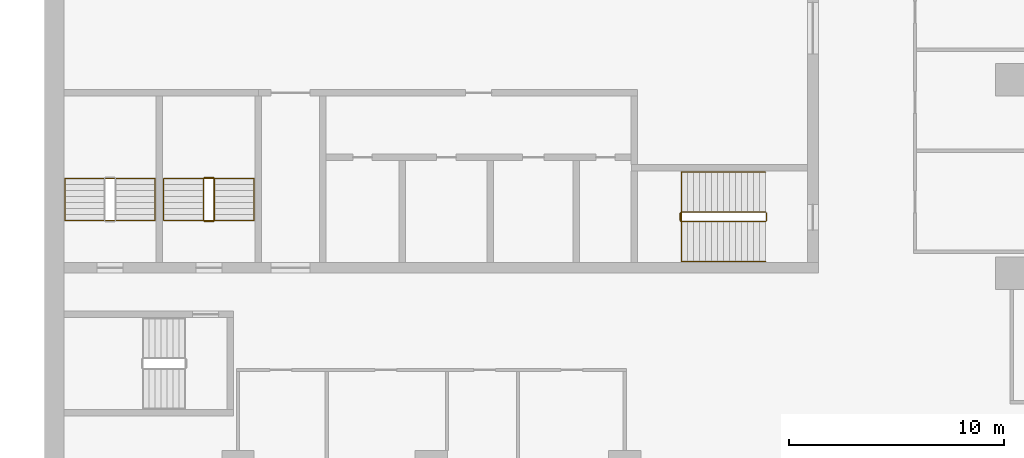
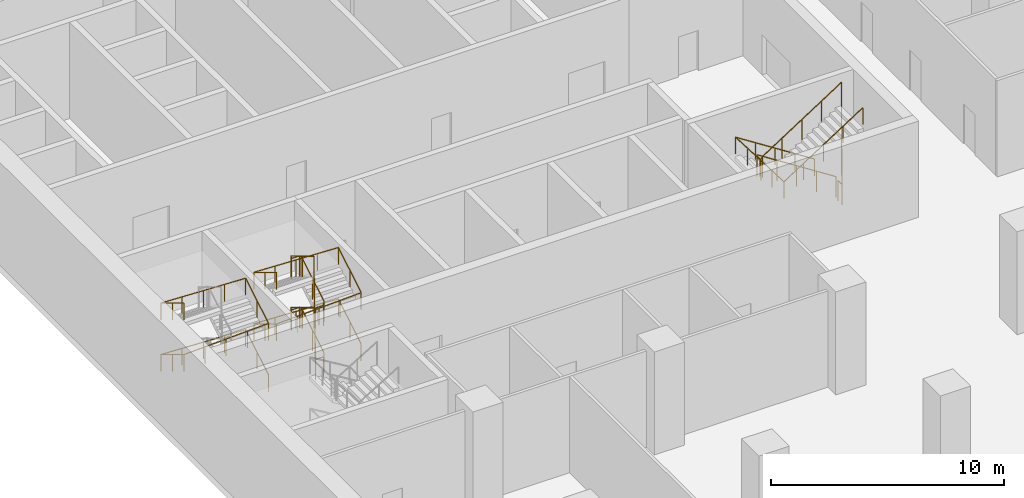
# One storey, part 33 of 43: 5 railings.
"""IFC4 building model written with IfcOpenShell, lengths in metres."""

import ifcopenshell
import ifcopenshell.guid

model = None  # the IFC model being written
_history = None  # IfcOwnerHistory: only IFC2X3 demands one
_inside = {}  # id of a spatial element -> (the spatial element, [elements in it])
_under = {}  # id of a project, library or spatial element -> (it, [spatial elements below it])
_declared = {}  # id of a project -> (the project, [libraries it declares])
_typed = {}  # id of a type object -> (the type object, [elements of that type])
_made_of = {}  # id of a material, layer set ... -> (it, [elements and type objects made of it])


def new_model(schema):
    """Start an empty IFC model of exactly this schema.

    Asked for "IFC4X3", IfcOpenShell would pick the latest addendum, in which some entities
    have other attributes; the version numbers below select the first issue.
    IFC2X3 requires an IfcOwnerHistory on every rooted entity: one is made here for all.
    """
    global model, _history
    if schema == "IFC4X3":
        model = ifcopenshell.file(schema_version=(4, 3, 0, 0))
    else:
        model = ifcopenshell.file(schema=schema)
    _inside.clear()
    _under.clear()
    _declared.clear()
    _typed.clear()
    _made_of.clear()
    _history = None
    if model.schema == "IFC2X3":
        org = make("IfcOrganization", Name="unknown")
        user = make(
            "IfcPersonAndOrganization",
            ThePerson=make("IfcPerson", FamilyName="unknown"),
            TheOrganization=org,
        )
        app = make(
            "IfcApplication",
            ApplicationDeveloper=org,
            Version="unknown",
            ApplicationFullName="unknown",
            ApplicationIdentifier="unknown",
        )
        _history = make(
            "IfcOwnerHistory",
            OwningUser=user,
            OwningApplication=app,
            ChangeAction="ADDED",
            CreationDate=0,
        )
    return model


def make(cls, **values):
    """One entity of the class cls with the attributes given. An attribute that is None is left unset."""
    return model.create_entity(
        cls, **{name: value for name, value in values.items() if value is not None}
    )


def rooted(cls, **values):
    """An entity with a GlobalId (a new one), such as an element, a storey or a relation."""
    return make(cls, GlobalId=ifcopenshell.guid.new(), OwnerHistory=_history, **values)


def si_unit(unit_type, name, prefix=None):
    """IfcSIUnit, for example si_unit("LENGTHUNIT", "METRE", prefix="MILLI")."""
    return make("IfcSIUnit", UnitType=unit_type, Prefix=prefix, Name=name)


def assignment(units):
    """IfcUnitAssignment: the units of a project."""
    return None if units is None else make("IfcUnitAssignment", Units=units)


def point(xyz):
    """IfcCartesianPoint."""
    return None if xyz is None else make("IfcCartesianPoint", Coordinates=xyz)


def direction(xyz):
    """IfcDirection."""
    return None if xyz is None else make("IfcDirection", DirectionRatios=xyz)


def frame(location, z_axis=None, x_axis=None):
    """IfcAxis2Placement3D, a coordinate frame: its origin and axes. An axis left out is left unset."""
    return make(
        "IfcAxis2Placement3D",
        Location=point(location),
        Axis=direction(z_axis),
        RefDirection=direction(x_axis),
    )


def frame_2d(location, x_axis=None):
    """IfcAxis2Placement2D, a coordinate frame in the plane: its origin and x axis."""
    return make(
        "IfcAxis2Placement2D", Location=point(location), RefDirection=direction(x_axis)
    )


def origin():
    """The frame at (0, 0, 0) with its axes left unset."""
    return frame((0.0, 0.0, 0.0))


def origin_2d():
    """The frame at (0, 0) in the plane with its x axis left unset."""
    return frame_2d((0.0, 0.0))


def place(relative_to, where):
    """IfcLocalPlacement: puts the frame where relative to a parent placement (None: the world)."""
    return make(
        "IfcLocalPlacement", PlacementRelTo=relative_to, RelativePlacement=where
    )


def context(
    kind, dimensions, precision=None, world=None, true_north=None, identifier=None
):
    """IfcGeometricRepresentationContext, for example the 3D "Model" context."""
    return make(
        "IfcGeometricRepresentationContext",
        ContextIdentifier=identifier,
        ContextType=kind,
        CoordinateSpaceDimension=dimensions,
        Precision=precision,
        WorldCoordinateSystem=world,
        TrueNorth=true_north,
    )


def subcontext(parent, identifier, kind, view, scale=None):
    """IfcGeometricRepresentationSubContext, for example "Body" below "Model"."""
    return make(
        "IfcGeometricRepresentationSubContext",
        ContextIdentifier=identifier,
        ContextType=kind,
        ParentContext=parent,
        TargetScale=scale,
        TargetView=view,
    )


def project(units=None, contexts=None):
    """IfcProject with its units and contexts."""
    return rooted(
        "IfcProject",
        Name="project",
        RepresentationContexts=contexts,
        UnitsInContext=assignment(units),
    )


def spatial(cls, under=None, at=None, **own):
    """A site, building, storey or space (cls), placed at a placement, below another one or the project."""
    s = rooted(cls, ObjectPlacement=at, **own)
    if under is not None:
        _under.setdefault(under.id(), (under, []))[1].append(s)
    return s


def profile(cls, at=None, kind="AREA", **sizes):
    """A parametric profile (cls). Its sizes go by their IFC names, for example OverallWidth=200.0."""
    return make(cls, ProfileType=kind, Position=at, **sizes)


def circle(**sizes):
    """IfcCircleProfileDef."""
    return profile("IfcCircleProfileDef", **sizes)


def extrude(swept, where, along, depth):
    """IfcExtrudedAreaSolid: the profile swept, set in the frame where, extruded along a direction by depth."""
    return make(
        "IfcExtrudedAreaSolid",
        SweptArea=swept,
        Position=where,
        ExtrudedDirection=direction(along),
        Depth=depth,
    )


def shape(context_of_items, identifier, shape_type, items):
    """IfcShapeRepresentation: the items that make up one representation, for example the "Body"."""
    return make(
        "IfcShapeRepresentation",
        ContextOfItems=context_of_items,
        RepresentationIdentifier=identifier,
        RepresentationType=shape_type,
        Items=items,
    )


def material(Name=None, Category=None):
    """IfcMaterial."""
    return make("IfcMaterial", Name=Name, Category=Category)


def made_of(thing, what):
    """Note that an element or type object is made of a material, layer set ...; save() writes the relation."""
    if what is not None:
        _made_of.setdefault(what.id(), (what, []))[1].append(thing)
    return thing


def type_object(cls, material=None, **own):
    """A type object (cls), such as IfcWallType, which elements share."""
    return made_of(rooted(cls, **own), material)


def element(
    cls,
    number,
    at=None,
    inside=None,
    cuts=None,
    type_object=None,
    material=None,
    context=None,
    identifier="Body",
    shape_type=None,
    held_by="IfcProductDefinitionShape",
    body=None,
    shapes=None,
    **own,
):
    """One element of the class cls, such as IfcWall. Its Tag is "e" and its number.

    at: its placement. inside: the storey or other place that contains it. cuts: it is an
    opening in that element (IfcRelVoidsElement). A single representation is given by context,
    identifier, shape_type and body (its items); several are given by shapes. held_by: the class
    of the entity that holds the representations. save() writes the other relations.
    """
    e = rooted(cls, Tag="e%d" % number, ObjectPlacement=at, **own)
    if body is not None:
        shapes = [shape(context, identifier, shape_type, body)]
    if shapes is not None:
        e.Representation = make(held_by, Representations=shapes)
    if inside is not None:
        _inside.setdefault(inside.id(), (inside, []))[1].append(e)
    if cuts is not None:
        rooted(
            "IfcRelVoidsElement", RelatingBuildingElement=cuts, RelatedOpeningElement=e
        )
    if type_object is not None:
        _typed.setdefault(type_object.id(), (type_object, []))[1].append(e)
    return made_of(e, material)


def aggregate(whole, parts):
    """IfcRelAggregates: a whole, such as a stair, and the parts it consists of."""
    return rooted("IfcRelAggregates", RelatingObject=whole, RelatedObjects=parts)


def save(model, path):
    """Write the relations noted so far, then the file.

    IfcRelAggregates (storeys below a building ...), IfcRelContainedInSpatialStructure (elements
    in a storey), IfcRelDefinesByType, IfcRelAssociatesMaterial and IfcRelDeclares: one each for
    every whole, place, type object, material and project.
    """
    for whole, parts in _under.values():
        aggregate(whole, parts)
    for where, things in _inside.values():
        rooted(
            "IfcRelContainedInSpatialStructure",
            RelatedElements=things,
            RelatingStructure=where,
        )
    for kind, things in _typed.values():
        rooted("IfcRelDefinesByType", RelatedObjects=things, RelatingType=kind)
    for what, things in _made_of.values():
        rooted("IfcRelAssociatesMaterial", RelatedObjects=things, RelatingMaterial=what)
    for by, libraries in _declared.values():
        rooted("IfcRelDeclares", RelatingContext=by, RelatedDefinitions=libraries)
    model.write(path)


model = new_model("IFC4")

# Units and contexts
model_context = context("Model", 3, precision=1e-05, world=origin(), true_north=direction((0.0, 1.0)))
body_context = subcontext(model_context, "Body", "Model", "MODEL_VIEW")
ifc_project = project(units=[si_unit("LENGTHUNIT", "METRE"), si_unit("AREAUNIT", "SQUARE_METRE"), si_unit("VOLUMEUNIT", "CUBIC_METRE"), si_unit("PLANEANGLEUNIT", "RADIAN"), si_unit("MASSUNIT", "GRAM", prefix="KILO")], contexts=[model_context])

# Site, building, storey
site_placement = place(None, origin())
site = spatial("IfcSite", under=ifc_project, at=site_placement, CompositionType="ELEMENT")
building_placement = place(site_placement, origin())
building = spatial("IfcBuilding", under=site, at=building_placement, Name="Hunhe Ridgeline Campus", CompositionType="ELEMENT")
storey_placement = place(building_placement, frame((0.0, 0.0, 11.39990234375)))
storey = spatial("IfcBuildingStorey", under=building, at=storey_placement, Name="L02", CompositionType="ELEMENT", Elevation=11.39990234375)

# Railings
ifc_material_1 = material(Name="Stainless steel balustrade", Category="steel")
railing_type_1 = type_object("IfcRailingType", Name="Stair guard 1100 stainless", PredefinedType="GUARDRAIL", material=ifc_material_1)
railing_1_placement = place(storey_placement, frame((33.550048828125, 65.85009765625, 0.18017578125)))
element("IfcRailing", 1, at=railing_1_placement, inside=storey, type_object=railing_type_1, Name="L02 stair S2 guard", PredefinedType="GUARDRAIL", context=body_context, shape_type="SweptSolid", body=[
    extrude(circle(Radius=0.02392578125, at=origin_2d()), frame((0.0, 0.0, 1.076171875), z_axis=(-0.841186985886, 0.0, 0.540744352514), x_axis=(0.0, -1.0, 0.0)), (0.0, 0.0, 1.0), 4.660400390625),
    extrude(circle(Radius=0.02392578125, at=origin_2d()), frame((-3.920166015625, 0.0, 3.59619140625), z_axis=(-0.705375805398, -0.708833529934, 0.0), x_axis=(0.708833529934, -0.705375805398, 0.0)), (0.0, 0.0, 1.0), 0.070556640625),
    extrude(circle(Radius=0.02392578125, at=origin_2d()), frame((-3.969970703125, -0.050048828125, 3.59619140625), z_axis=(0.0, -1.0, 0.0), x_axis=(1.0, 0.0, 0.0)), (0.0, 0.0, 1.0), 0.35009765625),
    extrude(circle(Radius=0.02392578125, at=origin_2d()), frame((-3.969970703125, -0.400146484375, 3.59619140625), z_axis=(0.257669022063, -0.258932105505, 0.930892496375), x_axis=(0.708833529934, 0.705375805398, 0.0)), (0.0, 0.0, 1.0), 0.193359375),
    extrude(circle(Radius=0.02392578125, at=origin_2d()), frame((-3.920166015625, -0.4501953125, 3.77587890625), z_axis=(0.841186985886, 0.0, 0.540744352514), x_axis=(0.0, 1.0, 0.0)), (0.0, 0.0, 1.0), 4.660400390625),
    extrude(circle(Radius=0.02392578125, at=origin_2d()), frame((0.0, -0.4501953125, 6.2958984375), z_axis=(0.0092672541, 0.0092672541, -0.999914114313), x_axis=(1.0, 0.0, 0.0)), (0.0, 0.0, 1.0), 5.400634765625),
    extrude(circle(Radius=0.02392578125, at=origin_2d()), frame((0.050048828125, -0.400146484375, 0.89599609375), z_axis=(0.0, 1.0, 0.0), x_axis=(-1.0, 0.0, 0.0)), (0.0, 0.0, 1.0), 0.35009765625),
    extrude(circle(Radius=0.02099609375, at=origin_2d()), origin(), (0.0, 0.0, 1.0), 1.052001953125),
    extrude(circle(Radius=0.02099609375, at=origin_2d()), frame((-0.97998046875, 0.0, 0.6298828125)), (0.0, 0.0, 1.0), 1.052001953125),
    extrude(circle(Radius=0.02099609375, at=origin_2d()), frame((-1.9599609375, 0.0, 1.260009765625)), (0.0, 0.0, 1.0), 1.052001953125),
    extrude(circle(Radius=0.02099609375, at=origin_2d()), frame((-2.940185546875, 0.0, 1.89013671875)), (0.0, 0.0, 1.0), 1.052001953125),
    extrude(circle(Radius=0.02099609375, at=origin_2d()), frame((-3.920166015625, 0.0, 2.52001953125)), (0.0, 0.0, 1.0), 1.052001953125),
    extrude(circle(Radius=0.02099609375, at=origin_2d()), frame((-3.969970703125, -0.050048828125, 2.52001953125)), (0.0, 0.0, 1.0), 1.052001953125),
    extrude(circle(Radius=0.02099609375, at=origin_2d()), frame((-3.969970703125, -0.400146484375, 2.52001953125)), (0.0, 0.0, 1.0), 1.052001953125),
    extrude(circle(Radius=0.02099609375, at=origin_2d()), frame((-3.920166015625, -0.4501953125, 2.699951171875)), (0.0, 0.0, 1.0), 1.052001953125),
    extrude(circle(Radius=0.02099609375, at=origin_2d()), frame((-2.940185546875, -0.4501953125, 3.330078125)), (0.0, 0.0, 1.0), 1.052001953125),
    extrude(circle(Radius=0.02099609375, at=origin_2d()), frame((-1.9599609375, -0.4501953125, 3.9599609375)), (0.0, 0.0, 1.0), 1.052001953125),
    extrude(circle(Radius=0.02099609375, at=origin_2d()), frame((-0.97998046875, -0.4501953125, 4.58984375)), (0.0, 0.0, 1.0), 1.052001953125),
    extrude(circle(Radius=0.02099609375, at=origin_2d()), frame((0.0, -0.4501953125, 5.219970703125)), (0.0, 0.0, 1.0), 1.052001953125),
    extrude(circle(Radius=0.02099609375, at=origin_2d()), frame((0.010009765625, -0.440185546875, 4.139892578125)), (0.0, 0.0, 1.0), 1.052001953125),
    extrude(circle(Radius=0.02099609375, at=origin_2d()), frame((0.02001953125, -0.43017578125, 3.059814453125)), (0.0, 0.0, 1.0), 1.052001953125),
    extrude(circle(Radius=0.02099609375, at=origin_2d()), frame((0.030029296875, -0.420166015625, 1.97998046875)), (0.0, 0.0, 1.0), 1.052001953125),
    extrude(circle(Radius=0.02099609375, at=origin_2d()), frame((0.0400390625, -0.41015625, 0.89990234375)), (0.0, 0.0, 1.0), 1.052001953125),
    extrude(circle(Radius=0.02099609375, at=origin_2d()), frame((0.050048828125, -0.400146484375, -0.18017578125)), (0.0, 0.0, 1.0), 1.052001953125),
    extrude(circle(Radius=0.02099609375, at=origin_2d()), frame((0.050048828125, -0.050048828125, -0.18017578125)), (0.0, 0.0, 1.0), 1.052001953125),
])
railing_2_placement = place(storey_placement, frame((7.89990234375, 65.449951171875, 0.1689453125)))
element("IfcRailing", 2, at=railing_2_placement, inside=storey, type_object=railing_type_1, Name="L02 stair S4 guard", PredefinedType="GUARDRAIL", context=body_context, shape_type="SweptSolid", body=[
    extrude(circle(Radius=0.02392578125, at=origin_2d()), frame((0.0, 0.0, 1.076171875), z_axis=(0.0, 0.856493463811, 0.516157869696), x_axis=(-1.0, 0.0, 0.0)), (0.0, 0.0, 1.0), 2.288330078125),
    extrude(circle(Radius=0.02392578125, at=origin_2d()), frame((0.0, 1.9599609375, 2.25732421875), z_axis=(-0.705375805398, 0.708833529934, 0.0), x_axis=(-0.708833529934, -0.705375805398, 0.0)), (0.0, 0.0, 1.0), 0.070556640625),
    extrude(circle(Radius=0.02392578125, at=origin_2d()), frame((-0.0498046875, 2.010009765625, 2.25732421875), z_axis=(-1.0, 0.0, 0.0), x_axis=(0.0, -1.0, 0.0)), (0.0, 0.0, 1.0), 0.400146484375),
    extrude(circle(Radius=0.02392578125, at=origin_2d()), frame((-0.449951171875, 2.010009765625, 2.25732421875), z_axis=(-0.273569069059, -0.273569069059, 0.922127935218), x_axis=(0.707106781187, -0.707106781187, 0.0)), (0.0, 0.0, 1.0), 0.182861328125),
    extrude(circle(Radius=0.02392578125, at=origin_2d()), frame((-0.5, 1.9599609375, 2.42578125), z_axis=(0.0, -0.856446297458, 0.516236127728), x_axis=(1.0, 0.0, 0.0)), (0.0, 0.0, 1.0), 2.28857421875),
    extrude(circle(Radius=0.02392578125, at=origin_2d()), frame((-0.5, 0.0, 3.607421875), z_axis=(0.707106781187, -0.707106781187, 0.0), x_axis=(0.707106781187, 0.707106781187, 0.0)), (0.0, 0.0, 1.0), 0.07080078125),
    extrude(circle(Radius=0.02392578125, at=origin_2d()), frame((-0.449951171875, -0.050048828125, 3.607421875), z_axis=(1.0, 0.0, 0.0), x_axis=(0.0, 1.0, 0.0)), (0.0, 0.0, 1.0), 0.400146484375),
    extrude(circle(Radius=0.02392578125, at=origin_2d()), frame((-0.0498046875, -0.050048828125, 3.607421875), z_axis=(0.272333783174, 0.273668752699, 0.922463942026), x_axis=(-0.708833529934, 0.705375805398, 0.0)), (0.0, 0.0, 1.0), 0.182861328125),
    extrude(circle(Radius=0.02392578125, at=origin_2d()), frame((0.0, 0.0, 3.77587890625), z_axis=(0.0, 0.856493463811, 0.516157869696), x_axis=(-1.0, 0.0, 0.0)), (0.0, 0.0, 1.0), 2.288330078125),
    extrude(circle(Radius=0.02392578125, at=origin_2d()), frame((0.0, 1.9599609375, 4.95703125), z_axis=(-0.705375805398, 0.708833529934, 0.0), x_axis=(-0.708833529934, -0.705375805398, 0.0)), (0.0, 0.0, 1.0), 0.070556640625),
    extrude(circle(Radius=0.02392578125, at=origin_2d()), frame((-0.0498046875, 2.010009765625, 4.95703125), z_axis=(-1.0, 0.0, 0.0), x_axis=(0.0, -1.0, 0.0)), (0.0, 0.0, 1.0), 0.400146484375),
    extrude(circle(Radius=0.02392578125, at=origin_2d()), frame((-0.449951171875, 2.010009765625, 4.95703125), z_axis=(-0.273569069059, -0.273569069059, 0.922127935218), x_axis=(0.707106781187, -0.707106781187, 0.0)), (0.0, 0.0, 1.0), 0.182861328125),
    extrude(circle(Radius=0.02392578125, at=origin_2d()), frame((-0.5, 1.9599609375, 5.1259765625), z_axis=(0.0, -0.856446297458, 0.516236127728), x_axis=(1.0, 0.0, 0.0)), (0.0, 0.0, 1.0), 2.28857421875),
    extrude(circle(Radius=0.02392578125, at=origin_2d()), frame((-0.5, 0.0, 6.30712890625), z_axis=(0.0092672541, -0.0092672541, -0.999914114313), x_axis=(1.0, 0.0, 0.0)), (0.0, 0.0, 1.0), 5.400634765625),
    extrude(circle(Radius=0.02392578125, at=origin_2d()), frame((-0.449951171875, -0.050048828125, 0.9072265625), z_axis=(1.0, 0.0, 0.0), x_axis=(0.0, 1.0, 0.0)), (0.0, 0.0, 1.0), 0.400146484375),
    extrude(circle(Radius=0.02099609375, at=origin_2d()), origin(), (0.0, 0.0, 1.0), 1.052001953125),
    extrude(circle(Radius=0.02099609375, at=origin_2d()), frame((0.0, 0.97998046875, 0.590576171875)), (0.0, 0.0, 1.0), 1.052001953125),
    extrude(circle(Radius=0.02099609375, at=origin_2d()), frame((0.0, 1.9599609375, 1.18115234375)), (0.0, 0.0, 1.0), 1.052001953125),
    extrude(circle(Radius=0.02099609375, at=origin_2d()), frame((-0.0498046875, 2.010009765625, 1.18115234375)), (0.0, 0.0, 1.0), 1.052001953125),
    extrude(circle(Radius=0.02099609375, at=origin_2d()), frame((-0.449951171875, 2.010009765625, 1.18115234375)), (0.0, 0.0, 1.0), 1.052001953125),
    extrude(circle(Radius=0.02099609375, at=origin_2d()), frame((-0.5, 1.9599609375, 1.349853515625)), (0.0, 0.0, 1.0), 1.052001953125),
    extrude(circle(Radius=0.02099609375, at=origin_2d()), frame((-0.5, 0.97998046875, 1.9404296875)), (0.0, 0.0, 1.0), 1.052001953125),
    extrude(circle(Radius=0.02099609375, at=origin_2d()), frame((-0.5, 0.0, 2.53125)), (0.0, 0.0, 1.0), 1.052001953125),
    extrude(circle(Radius=0.02099609375, at=origin_2d()), frame((-0.449951171875, -0.050048828125, 2.53125)), (0.0, 0.0, 1.0), 1.052001953125),
    extrude(circle(Radius=0.02099609375, at=origin_2d()), frame((-0.0498046875, -0.050048828125, 2.53125)), (0.0, 0.0, 1.0), 1.052001953125),
    extrude(circle(Radius=0.02099609375, at=origin_2d()), frame((0.0, 0.0, 2.699951171875)), (0.0, 0.0, 1.0), 1.052001953125),
    extrude(circle(Radius=0.02099609375, at=origin_2d()), frame((0.0, 0.97998046875, 3.29052734375)), (0.0, 0.0, 1.0), 1.052001953125),
    extrude(circle(Radius=0.02099609375, at=origin_2d()), frame((0.0, 1.9599609375, 3.881103515625)), (0.0, 0.0, 1.0), 1.052001953125),
    extrude(circle(Radius=0.02099609375, at=origin_2d()), frame((-0.0498046875, 2.010009765625, 3.881103515625)), (0.0, 0.0, 1.0), 1.052001953125),
    extrude(circle(Radius=0.02099609375, at=origin_2d()), frame((-0.449951171875, 2.010009765625, 3.881103515625)), (0.0, 0.0, 1.0), 1.052001953125),
    extrude(circle(Radius=0.02099609375, at=origin_2d()), frame((-0.5, 1.9599609375, 4.0498046875)), (0.0, 0.0, 1.0), 1.052001953125),
    extrude(circle(Radius=0.02099609375, at=origin_2d()), frame((-0.5, 0.97998046875, 4.640625)), (0.0, 0.0, 1.0), 1.052001953125),
    extrude(circle(Radius=0.02099609375, at=origin_2d()), frame((-0.5, 0.0, 5.231201171875)), (0.0, 0.0, 1.0), 1.052001953125),
    extrude(circle(Radius=0.02099609375, at=origin_2d()), frame((-0.489990234375, -0.010009765625, 4.151123046875)), (0.0, 0.0, 1.0), 1.052001953125),
    extrude(circle(Radius=0.02099609375, at=origin_2d()), frame((-0.47998046875, -0.02001953125, 3.071044921875)), (0.0, 0.0, 1.0), 1.052001953125),
    extrude(circle(Radius=0.02099609375, at=origin_2d()), frame((-0.469970703125, -0.030029296875, 1.9912109375)), (0.0, 0.0, 1.0), 1.052001953125),
    extrude(circle(Radius=0.02099609375, at=origin_2d()), frame((-0.4599609375, -0.0400390625, 0.9111328125)), (0.0, 0.0, 1.0), 1.052001953125),
    extrude(circle(Radius=0.02099609375, at=origin_2d()), frame((-0.449951171875, -0.050048828125, -0.1689453125)), (0.0, 0.0, 1.0), 1.052001953125),
    extrude(circle(Radius=0.02099609375, at=origin_2d()), frame((-0.0498046875, -0.050048828125, -0.1689453125)), (0.0, 0.0, 1.0), 1.052001953125),
])
ifc_material_2 = material(Name="Stainless steel handrail", Category="steel")
railing_type_2 = type_object("IfcRailingType", Name="Stair handrail 900 stainless", PredefinedType="HANDRAIL", material=ifc_material_2)
railing_3_placement = place(storey_placement, frame((33.550048828125, 67.699951171875, 0.18017578125)))
element("IfcRailing", 3, at=railing_3_placement, inside=storey, type_object=railing_type_2, Name="L02 stair S2 handrail", PredefinedType="HANDRAIL", context=body_context, shape_type="SweptSolid", body=[
    extrude(circle(Radius=0.02392578125, at=origin_2d()), frame((0.0, 0.0, 0.8759765625), z_axis=(-0.841186985886, 0.0, 0.540744352514), x_axis=(0.0, -1.0, 0.0)), (0.0, 0.0, 1.0), 4.660400390625),
    extrude(circle(Radius=0.02392578125, at=origin_2d()), frame((-3.920166015625, 0.0, 3.39599609375), z_axis=(0.0, -0.999061363306, 0.043317344673), x_axis=(1.0, 0.0, 0.0)), (0.0, 0.0, 1.0), 4.15380859375),
    extrude(circle(Radius=0.02392578125, at=origin_2d()), frame((-3.920166015625, -4.14990234375, 3.57568359375), z_axis=(0.841186985886, 0.0, 0.540744352514), x_axis=(0.0, 1.0, 0.0)), (0.0, 0.0, 1.0), 4.660400390625),
    extrude(circle(Radius=0.02099609375, at=origin_2d()), origin(), (0.0, 0.0, 1.0), 0.851806640625),
    extrude(circle(Radius=0.02099609375, at=origin_2d()), frame((-0.97998046875, 0.0, 0.6298828125)), (0.0, 0.0, 1.0), 0.851806640625),
    extrude(circle(Radius=0.02099609375, at=origin_2d()), frame((-1.9599609375, 0.0, 1.260009765625)), (0.0, 0.0, 1.0), 0.851806640625),
    extrude(circle(Radius=0.02099609375, at=origin_2d()), frame((-2.940185546875, 0.0, 1.89013671875)), (0.0, 0.0, 1.0), 0.851806640625),
    extrude(circle(Radius=0.02099609375, at=origin_2d()), frame((-3.920166015625, 0.0, 2.52001953125)), (0.0, 0.0, 1.0), 0.851806640625),
    extrude(circle(Radius=0.02099609375, at=origin_2d()), frame((-3.920166015625, -1.03759765625, 2.56494140625)), (0.0, 0.0, 1.0), 0.851806640625),
    extrude(circle(Radius=0.02099609375, at=origin_2d()), frame((-3.920166015625, -2.074951171875, 2.60986328125)), (0.0, 0.0, 1.0), 0.851806640625),
    extrude(circle(Radius=0.02099609375, at=origin_2d()), frame((-3.920166015625, -3.1123046875, 2.655029296875)), (0.0, 0.0, 1.0), 0.851806640625),
    extrude(circle(Radius=0.02099609375, at=origin_2d()), frame((-3.920166015625, -4.14990234375, 2.699951171875)), (0.0, 0.0, 1.0), 0.851806640625),
    extrude(circle(Radius=0.02099609375, at=origin_2d()), frame((-2.940185546875, -4.14990234375, 3.330078125)), (0.0, 0.0, 1.0), 0.851806640625),
    extrude(circle(Radius=0.02099609375, at=origin_2d()), frame((-1.9599609375, -4.14990234375, 3.9599609375)), (0.0, 0.0, 1.0), 0.851806640625),
    extrude(circle(Radius=0.02099609375, at=origin_2d()), frame((-0.97998046875, -4.14990234375, 4.58984375)), (0.0, 0.0, 1.0), 0.851806640625),
    extrude(circle(Radius=0.02099609375, at=origin_2d()), frame((0.0, -4.14990234375, 5.219970703125)), (0.0, 0.0, 1.0), 0.851806640625),
])
railing_4_placement = place(storey_placement, frame((5.14990234375, 65.449951171875, 0.1689453125)))
element("IfcRailing", 4, at=railing_4_placement, inside=storey, type_object=railing_type_2, Name="L02 stair S3 handrail", PredefinedType="HANDRAIL", context=body_context, shape_type="SweptSolid", body=[
    extrude(circle(Radius=0.02392578125, at=origin_2d()), frame((0.0, 0.0, 0.8759765625), z_axis=(0.0, 0.856493463811, 0.516157869696), x_axis=(-1.0, 0.0, 0.0)), (0.0, 0.0, 1.0), 2.288330078125),
    extrude(circle(Radius=0.02392578125, at=origin_2d()), frame((0.0, 1.9599609375, 2.05712890625), z_axis=(-0.999194264342, 0.0, 0.040135048344), x_axis=(0.0, -1.0, 0.0)), (0.0, 0.0, 1.0), 4.203369140625),
    extrude(circle(Radius=0.02392578125, at=origin_2d()), frame((-4.199951171875, 1.9599609375, 2.2255859375), z_axis=(0.0, -0.856446297458, 0.516236127728), x_axis=(1.0, 0.0, 0.0)), (0.0, 0.0, 1.0), 2.28857421875),
    extrude(circle(Radius=0.02392578125, at=origin_2d()), frame((-4.199951171875, 0.0, 3.4072265625), z_axis=(0.999194264342, 0.0, 0.040135048344), x_axis=(0.0, 1.0, 0.0)), (0.0, 0.0, 1.0), 4.203369140625),
    extrude(circle(Radius=0.02392578125, at=origin_2d()), frame((0.0, 0.0, 3.57568359375), z_axis=(0.0, 0.856493463811, 0.516157869696), x_axis=(-1.0, 0.0, 0.0)), (0.0, 0.0, 1.0), 2.288330078125),
    extrude(circle(Radius=0.02392578125, at=origin_2d()), frame((0.0, 1.9599609375, 4.7568359375), z_axis=(-0.999194264342, 0.0, 0.040135048344), x_axis=(0.0, -1.0, 0.0)), (0.0, 0.0, 1.0), 4.203369140625),
    extrude(circle(Radius=0.02392578125, at=origin_2d()), frame((-4.199951171875, 1.9599609375, 4.92578125), z_axis=(0.0, -0.856446297458, 0.516236127728), x_axis=(1.0, 0.0, 0.0)), (0.0, 0.0, 1.0), 2.28857421875),
    extrude(circle(Radius=0.02099609375, at=origin_2d()), origin(), (0.0, 0.0, 1.0), 0.851806640625),
    extrude(circle(Radius=0.02099609375, at=origin_2d()), frame((0.0, 0.97998046875, 0.590576171875)), (0.0, 0.0, 1.0), 0.851806640625),
    extrude(circle(Radius=0.02099609375, at=origin_2d()), frame((0.0, 1.9599609375, 1.18115234375)), (0.0, 0.0, 1.0), 0.851806640625),
    extrude(circle(Radius=0.02099609375, at=origin_2d()), frame((-1.050048828125, 1.9599609375, 1.223388671875)), (0.0, 0.0, 1.0), 0.851806640625),
    extrude(circle(Radius=0.02099609375, at=origin_2d()), frame((-2.10009765625, 1.9599609375, 1.265625)), (0.0, 0.0, 1.0), 0.851806640625),
    extrude(circle(Radius=0.02099609375, at=origin_2d()), frame((-3.14990234375, 1.9599609375, 1.3076171875)), (0.0, 0.0, 1.0), 0.851806640625),
    extrude(circle(Radius=0.02099609375, at=origin_2d()), frame((-4.199951171875, 1.9599609375, 1.349853515625)), (0.0, 0.0, 1.0), 0.851806640625),
    extrude(circle(Radius=0.02099609375, at=origin_2d()), frame((-4.199951171875, 0.97998046875, 1.9404296875)), (0.0, 0.0, 1.0), 0.851806640625),
    extrude(circle(Radius=0.02099609375, at=origin_2d()), frame((-4.199951171875, 0.0, 2.53125)), (0.0, 0.0, 1.0), 0.851806640625),
    extrude(circle(Radius=0.02099609375, at=origin_2d()), frame((-3.14990234375, 0.0, 2.573486328125)), (0.0, 0.0, 1.0), 0.851806640625),
    extrude(circle(Radius=0.02099609375, at=origin_2d()), frame((-2.10009765625, 0.0, 2.61572265625)), (0.0, 0.0, 1.0), 0.851806640625),
    extrude(circle(Radius=0.02099609375, at=origin_2d()), frame((-1.050048828125, 0.0, 2.65771484375)), (0.0, 0.0, 1.0), 0.851806640625),
    extrude(circle(Radius=0.02099609375, at=origin_2d()), frame((0.0, 0.0, 2.699951171875)), (0.0, 0.0, 1.0), 0.851806640625),
    extrude(circle(Radius=0.02099609375, at=origin_2d()), frame((0.0, 0.97998046875, 3.29052734375)), (0.0, 0.0, 1.0), 0.851806640625),
    extrude(circle(Radius=0.02099609375, at=origin_2d()), frame((0.0, 1.9599609375, 3.881103515625)), (0.0, 0.0, 1.0), 0.851806640625),
    extrude(circle(Radius=0.02099609375, at=origin_2d()), frame((-1.050048828125, 1.9599609375, 3.92333984375)), (0.0, 0.0, 1.0), 0.851806640625),
    extrude(circle(Radius=0.02099609375, at=origin_2d()), frame((-2.10009765625, 1.9599609375, 3.96533203125)), (0.0, 0.0, 1.0), 0.851806640625),
    extrude(circle(Radius=0.02099609375, at=origin_2d()), frame((-3.14990234375, 1.9599609375, 4.007568359375)), (0.0, 0.0, 1.0), 0.851806640625),
    extrude(circle(Radius=0.02099609375, at=origin_2d()), frame((-4.199951171875, 1.9599609375, 4.0498046875)), (0.0, 0.0, 1.0), 0.851806640625),
    extrude(circle(Radius=0.02099609375, at=origin_2d()), frame((-4.199951171875, 0.97998046875, 4.640625)), (0.0, 0.0, 1.0), 0.851806640625),
    extrude(circle(Radius=0.02099609375, at=origin_2d()), frame((-4.199951171875, 0.0, 5.231201171875)), (0.0, 0.0, 1.0), 0.851806640625),
])
railing_5_placement = place(storey_placement, frame((9.75, 65.449951171875, 0.1689453125)))
element("IfcRailing", 5, at=railing_5_placement, inside=storey, type_object=railing_type_2, Name="L02 stair S4 handrail", PredefinedType="HANDRAIL", context=body_context, shape_type="SweptSolid", body=[
    extrude(circle(Radius=0.02392578125, at=origin_2d()), frame((0.0, 0.0, 0.8759765625), z_axis=(0.0, 0.856493463811, 0.516157869696), x_axis=(-1.0, 0.0, 0.0)), (0.0, 0.0, 1.0), 2.288330078125),
    extrude(circle(Radius=0.02392578125, at=origin_2d()), frame((0.0, 1.9599609375, 2.05712890625), z_axis=(-0.999194264342, 0.0, 0.040135048344), x_axis=(0.0, -1.0, 0.0)), (0.0, 0.0, 1.0), 4.203369140625),
    extrude(circle(Radius=0.02392578125, at=origin_2d()), frame((-4.199951171875, 1.9599609375, 2.2255859375), z_axis=(0.0, -0.856446297458, 0.516236127728), x_axis=(1.0, 0.0, 0.0)), (0.0, 0.0, 1.0), 2.28857421875),
    extrude(circle(Radius=0.02392578125, at=origin_2d()), frame((-4.199951171875, 0.0, 3.4072265625), z_axis=(0.999194264342, 0.0, 0.040135048344), x_axis=(0.0, 1.0, 0.0)), (0.0, 0.0, 1.0), 4.203369140625),
    extrude(circle(Radius=0.02392578125, at=origin_2d()), frame((0.0, 0.0, 3.57568359375), z_axis=(0.0, 0.856493463811, 0.516157869696), x_axis=(-1.0, 0.0, 0.0)), (0.0, 0.0, 1.0), 2.288330078125),
    extrude(circle(Radius=0.02392578125, at=origin_2d()), frame((0.0, 1.9599609375, 4.7568359375), z_axis=(-0.999194264342, 0.0, 0.040135048344), x_axis=(0.0, -1.0, 0.0)), (0.0, 0.0, 1.0), 4.203369140625),
    extrude(circle(Radius=0.02392578125, at=origin_2d()), frame((-4.199951171875, 1.9599609375, 4.92578125), z_axis=(0.0, -0.856446297458, 0.516236127728), x_axis=(1.0, 0.0, 0.0)), (0.0, 0.0, 1.0), 2.28857421875),
    extrude(circle(Radius=0.02099609375, at=origin_2d()), origin(), (0.0, 0.0, 1.0), 0.851806640625),
    extrude(circle(Radius=0.02099609375, at=origin_2d()), frame((0.0, 0.97998046875, 0.590576171875)), (0.0, 0.0, 1.0), 0.851806640625),
    extrude(circle(Radius=0.02099609375, at=origin_2d()), frame((0.0, 1.9599609375, 1.18115234375)), (0.0, 0.0, 1.0), 0.851806640625),
    extrude(circle(Radius=0.02099609375, at=origin_2d()), frame((-1.050048828125, 1.9599609375, 1.223388671875)), (0.0, 0.0, 1.0), 0.851806640625),
    extrude(circle(Radius=0.02099609375, at=origin_2d()), frame((-2.10009765625, 1.9599609375, 1.265625)), (0.0, 0.0, 1.0), 0.851806640625),
    extrude(circle(Radius=0.02099609375, at=origin_2d()), frame((-3.14990234375, 1.9599609375, 1.3076171875)), (0.0, 0.0, 1.0), 0.851806640625),
    extrude(circle(Radius=0.02099609375, at=origin_2d()), frame((-4.199951171875, 1.9599609375, 1.349853515625)), (0.0, 0.0, 1.0), 0.851806640625),
    extrude(circle(Radius=0.02099609375, at=origin_2d()), frame((-4.199951171875, 0.97998046875, 1.9404296875)), (0.0, 0.0, 1.0), 0.851806640625),
    extrude(circle(Radius=0.02099609375, at=origin_2d()), frame((-4.199951171875, 0.0, 2.53125)), (0.0, 0.0, 1.0), 0.851806640625),
    extrude(circle(Radius=0.02099609375, at=origin_2d()), frame((-3.14990234375, 0.0, 2.573486328125)), (0.0, 0.0, 1.0), 0.851806640625),
    extrude(circle(Radius=0.02099609375, at=origin_2d()), frame((-2.10009765625, 0.0, 2.61572265625)), (0.0, 0.0, 1.0), 0.851806640625),
    extrude(circle(Radius=0.02099609375, at=origin_2d()), frame((-1.050048828125, 0.0, 2.65771484375)), (0.0, 0.0, 1.0), 0.851806640625),
    extrude(circle(Radius=0.02099609375, at=origin_2d()), frame((0.0, 0.0, 2.699951171875)), (0.0, 0.0, 1.0), 0.851806640625),
    extrude(circle(Radius=0.02099609375, at=origin_2d()), frame((0.0, 0.97998046875, 3.29052734375)), (0.0, 0.0, 1.0), 0.851806640625),
    extrude(circle(Radius=0.02099609375, at=origin_2d()), frame((0.0, 1.9599609375, 3.881103515625)), (0.0, 0.0, 1.0), 0.851806640625),
    extrude(circle(Radius=0.02099609375, at=origin_2d()), frame((-1.050048828125, 1.9599609375, 3.92333984375)), (0.0, 0.0, 1.0), 0.851806640625),
    extrude(circle(Radius=0.02099609375, at=origin_2d()), frame((-2.10009765625, 1.9599609375, 3.96533203125)), (0.0, 0.0, 1.0), 0.851806640625),
    extrude(circle(Radius=0.02099609375, at=origin_2d()), frame((-3.14990234375, 1.9599609375, 4.007568359375)), (0.0, 0.0, 1.0), 0.851806640625),
    extrude(circle(Radius=0.02099609375, at=origin_2d()), frame((-4.199951171875, 1.9599609375, 4.0498046875)), (0.0, 0.0, 1.0), 0.851806640625),
    extrude(circle(Radius=0.02099609375, at=origin_2d()), frame((-4.199951171875, 0.97998046875, 4.640625)), (0.0, 0.0, 1.0), 0.851806640625),
    extrude(circle(Radius=0.02099609375, at=origin_2d()), frame((-4.199951171875, 0.0, 5.231201171875)), (0.0, 0.0, 1.0), 0.851806640625),
])

save(model, "model.ifc")
